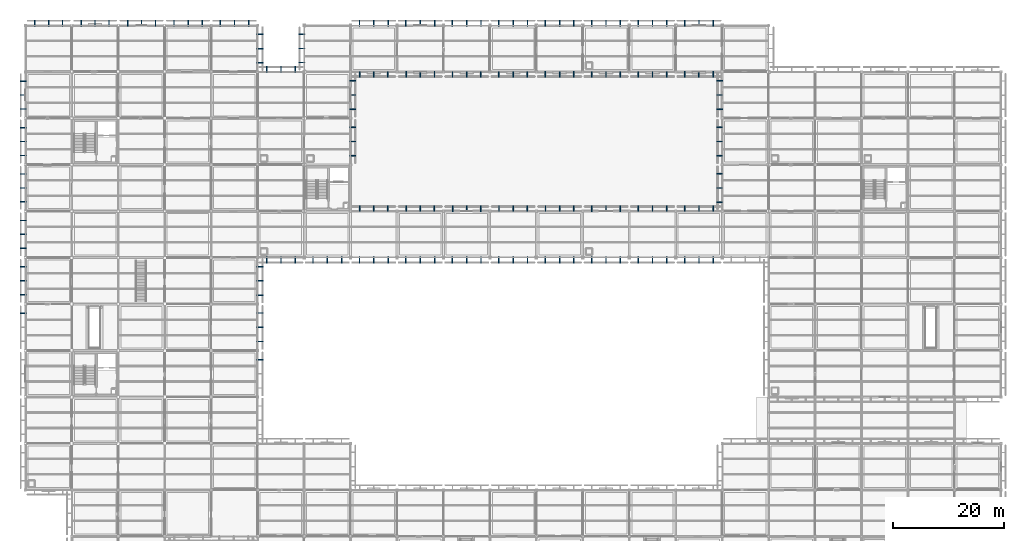
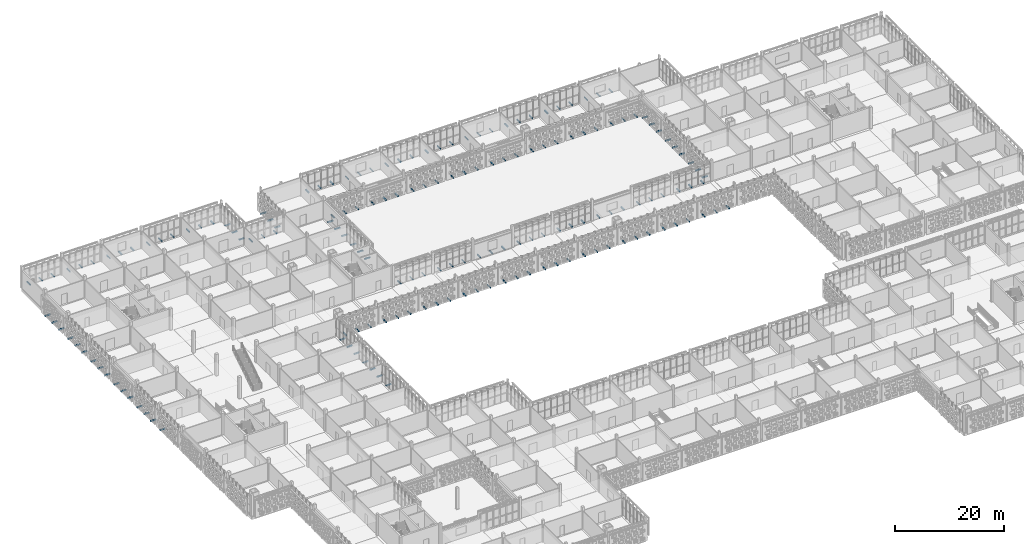
# One storey, part 131 of 203: 164 discrete accessories.
"""IFC4 building model written with IfcOpenShell, lengths in metres."""

import ifcopenshell
import ifcopenshell.guid

model = None  # the IFC model being written
_history = None  # IfcOwnerHistory: only IFC2X3 demands one
_inside = {}  # id of a spatial element -> (the spatial element, [elements in it])
_under = {}  # id of a project, library or spatial element -> (it, [spatial elements below it])
_declared = {}  # id of a project -> (the project, [libraries it declares])
_typed = {}  # id of a type object -> (the type object, [elements of that type])
_made_of = {}  # id of a material, layer set ... -> (it, [elements and type objects made of it])


def new_model(schema):
    """Start an empty IFC model of exactly this schema.

    Asked for "IFC4X3", IfcOpenShell would pick the latest addendum, in which some entities
    have other attributes; the version numbers below select the first issue.
    IFC2X3 requires an IfcOwnerHistory on every rooted entity: one is made here for all.
    """
    global model, _history
    if schema == "IFC4X3":
        model = ifcopenshell.file(schema_version=(4, 3, 0, 0))
    else:
        model = ifcopenshell.file(schema=schema)
    _inside.clear()
    _under.clear()
    _declared.clear()
    _typed.clear()
    _made_of.clear()
    _history = None
    if model.schema == "IFC2X3":
        org = make("IfcOrganization", Name="unknown")
        user = make(
            "IfcPersonAndOrganization",
            ThePerson=make("IfcPerson", FamilyName="unknown"),
            TheOrganization=org,
        )
        app = make(
            "IfcApplication",
            ApplicationDeveloper=org,
            Version="unknown",
            ApplicationFullName="unknown",
            ApplicationIdentifier="unknown",
        )
        _history = make(
            "IfcOwnerHistory",
            OwningUser=user,
            OwningApplication=app,
            ChangeAction="ADDED",
            CreationDate=0,
        )
    return model


def make(cls, **values):
    """One entity of the class cls with the attributes given. An attribute that is None is left unset."""
    return model.create_entity(
        cls, **{name: value for name, value in values.items() if value is not None}
    )


def rooted(cls, **values):
    """An entity with a GlobalId (a new one), such as an element, a storey or a relation."""
    return make(cls, GlobalId=ifcopenshell.guid.new(), OwnerHistory=_history, **values)


def si_unit(unit_type, name, prefix=None):
    """IfcSIUnit, for example si_unit("LENGTHUNIT", "METRE", prefix="MILLI")."""
    return make("IfcSIUnit", UnitType=unit_type, Prefix=prefix, Name=name)


def assignment(units):
    """IfcUnitAssignment: the units of a project."""
    return None if units is None else make("IfcUnitAssignment", Units=units)


def point(xyz):
    """IfcCartesianPoint."""
    return None if xyz is None else make("IfcCartesianPoint", Coordinates=xyz)


def direction(xyz):
    """IfcDirection."""
    return None if xyz is None else make("IfcDirection", DirectionRatios=xyz)


def frame(location, z_axis=None, x_axis=None):
    """IfcAxis2Placement3D, a coordinate frame: its origin and axes. An axis left out is left unset."""
    return make(
        "IfcAxis2Placement3D",
        Location=point(location),
        Axis=direction(z_axis),
        RefDirection=direction(x_axis),
    )


def frame_2d(location, x_axis=None):
    """IfcAxis2Placement2D, a coordinate frame in the plane: its origin and x axis."""
    return make(
        "IfcAxis2Placement2D", Location=point(location), RefDirection=direction(x_axis)
    )


def origin():
    """The frame at (0, 0, 0) with its axes left unset."""
    return frame((0.0, 0.0, 0.0))


def origin_2d():
    """The frame at (0, 0) in the plane with its x axis left unset."""
    return frame_2d((0.0, 0.0))


def place(relative_to, where):
    """IfcLocalPlacement: puts the frame where relative to a parent placement (None: the world)."""
    return make(
        "IfcLocalPlacement", PlacementRelTo=relative_to, RelativePlacement=where
    )


def context(
    kind, dimensions, precision=None, world=None, true_north=None, identifier=None
):
    """IfcGeometricRepresentationContext, for example the 3D "Model" context."""
    return make(
        "IfcGeometricRepresentationContext",
        ContextIdentifier=identifier,
        ContextType=kind,
        CoordinateSpaceDimension=dimensions,
        Precision=precision,
        WorldCoordinateSystem=world,
        TrueNorth=true_north,
    )


def subcontext(parent, identifier, kind, view, scale=None):
    """IfcGeometricRepresentationSubContext, for example "Body" below "Model"."""
    return make(
        "IfcGeometricRepresentationSubContext",
        ContextIdentifier=identifier,
        ContextType=kind,
        ParentContext=parent,
        TargetScale=scale,
        TargetView=view,
    )


def project(units=None, contexts=None):
    """IfcProject with its units and contexts."""
    return rooted(
        "IfcProject",
        Name="project",
        RepresentationContexts=contexts,
        UnitsInContext=assignment(units),
    )


def spatial(cls, under=None, at=None, **own):
    """A site, building, storey or space (cls), placed at a placement, below another one or the project."""
    s = rooted(cls, ObjectPlacement=at, **own)
    if under is not None:
        _under.setdefault(under.id(), (under, []))[1].append(s)
    return s


def profile(cls, at=None, kind="AREA", **sizes):
    """A parametric profile (cls). Its sizes go by their IFC names, for example OverallWidth=200.0."""
    return make(cls, ProfileType=kind, Position=at, **sizes)


def rectangle(**sizes):
    """IfcRectangleProfileDef."""
    return profile("IfcRectangleProfileDef", **sizes)


def extrude(swept, where, along, depth):
    """IfcExtrudedAreaSolid: the profile swept, set in the frame where, extruded along a direction by depth."""
    return make(
        "IfcExtrudedAreaSolid",
        SweptArea=swept,
        Position=where,
        ExtrudedDirection=direction(along),
        Depth=depth,
    )


def shape(context_of_items, identifier, shape_type, items):
    """IfcShapeRepresentation: the items that make up one representation, for example the "Body"."""
    return make(
        "IfcShapeRepresentation",
        ContextOfItems=context_of_items,
        RepresentationIdentifier=identifier,
        RepresentationType=shape_type,
        Items=items,
    )


def material(Name=None, Category=None):
    """IfcMaterial."""
    return make("IfcMaterial", Name=Name, Category=Category)


def made_of(thing, what):
    """Note that an element or type object is made of a material, layer set ...; save() writes the relation."""
    if what is not None:
        _made_of.setdefault(what.id(), (what, []))[1].append(thing)
    return thing


def type_object(cls, material=None, **own):
    """A type object (cls), such as IfcWallType, which elements share."""
    return made_of(rooted(cls, **own), material)


def element(
    cls,
    number,
    at=None,
    inside=None,
    cuts=None,
    type_object=None,
    material=None,
    context=None,
    identifier="Body",
    shape_type=None,
    held_by="IfcProductDefinitionShape",
    body=None,
    shapes=None,
    **own,
):
    """One element of the class cls, such as IfcWall. Its Tag is "e" and its number.

    at: its placement. inside: the storey or other place that contains it. cuts: it is an
    opening in that element (IfcRelVoidsElement). A single representation is given by context,
    identifier, shape_type and body (its items); several are given by shapes. held_by: the class
    of the entity that holds the representations. save() writes the other relations.
    """
    e = rooted(cls, Tag="e%d" % number, ObjectPlacement=at, **own)
    if body is not None:
        shapes = [shape(context, identifier, shape_type, body)]
    if shapes is not None:
        e.Representation = make(held_by, Representations=shapes)
    if inside is not None:
        _inside.setdefault(inside.id(), (inside, []))[1].append(e)
    if cuts is not None:
        rooted(
            "IfcRelVoidsElement", RelatingBuildingElement=cuts, RelatedOpeningElement=e
        )
    if type_object is not None:
        _typed.setdefault(type_object.id(), (type_object, []))[1].append(e)
    return made_of(e, material)


def aggregate(whole, parts):
    """IfcRelAggregates: a whole, such as a stair, and the parts it consists of."""
    return rooted("IfcRelAggregates", RelatingObject=whole, RelatedObjects=parts)


def save(model, path):
    """Write the relations noted so far, then the file.

    IfcRelAggregates (storeys below a building ...), IfcRelContainedInSpatialStructure (elements
    in a storey), IfcRelDefinesByType, IfcRelAssociatesMaterial and IfcRelDeclares: one each for
    every whole, place, type object, material and project.
    """
    for whole, parts in _under.values():
        aggregate(whole, parts)
    for where, things in _inside.values():
        rooted(
            "IfcRelContainedInSpatialStructure",
            RelatedElements=things,
            RelatingStructure=where,
        )
    for kind, things in _typed.values():
        rooted("IfcRelDefinesByType", RelatedObjects=things, RelatingType=kind)
    for what, things in _made_of.values():
        rooted("IfcRelAssociatesMaterial", RelatedObjects=things, RelatingMaterial=what)
    for by, libraries in _declared.values():
        rooted("IfcRelDeclares", RelatingContext=by, RelatedDefinitions=libraries)
    model.write(path)


model = new_model("IFC4")

# Units and contexts
model_context = context("Model", 3, precision=1e-05, world=origin(), true_north=direction((0.0, 1.0)))
body_context = subcontext(model_context, "Body", "Model", "MODEL_VIEW")
ifc_project = project(units=[si_unit("LENGTHUNIT", "METRE"), si_unit("AREAUNIT", "SQUARE_METRE"), si_unit("VOLUMEUNIT", "CUBIC_METRE"), si_unit("PLANEANGLEUNIT", "RADIAN"), si_unit("MASSUNIT", "GRAM", prefix="KILO")], contexts=[model_context])

# Site, building, storey
site_placement = place(None, origin())
site = spatial("IfcSite", under=ifc_project, at=site_placement, CompositionType="ELEMENT")
building_placement = place(site_placement, origin())
building = spatial("IfcBuilding", under=site, at=building_placement, Name="Varnapada Polytechnic", CompositionType="ELEMENT")
storey_placement = place(building_placement, frame((0.0, 0.0, 4.800048828125)))
storey = spatial("IfcBuildingStorey", under=building, at=storey_placement, Name="L01", CompositionType="ELEMENT", Elevation=4.800048828125)

# Discrete accessories
ifc_material = material(Name="Steel S355", Category="steel")
discrete_accessory_type = type_object("IfcDiscreteAccessoryType", Name="Screen Outrigger Bracket BRK-01", PredefinedType="BRACKET", material=ifc_material)
for number, where, z_axis, x_axis, name in (
    (1, (-0.425048828125, 73.921630859375, -0.0498046875), (0.0, 0.0, 1.0), (0.0, 1.0, 0.0), "L01 terracotta screen outrigger bracket 5.3"),
    (2, (-0.425048828125, 77.2783203125, -0.0498046875), (0.0, 0.0, 1.0), (0.0, 1.0, 0.0), "L01 terracotta screen outrigger bracket 6.1"),
    (3, (-0.425048828125, 79.800048828125, -0.0498046875), (0.0, 0.0, 1.0), (0.0, 1.0, 0.0), "L01 terracotta screen outrigger bracket 6.2"),
    (4, (-0.425048828125, 82.321533203125, -0.0498046875), (0.0, 0.0, 1.0), (0.0, 1.0, 0.0), "L01 terracotta screen outrigger bracket 6.3"),
    (5, (-0.425048828125, 85.678466796875, -0.0498046875), (0.0, 0.0, 1.0), (0.0, 1.0, 0.0), "L01 terracotta screen outrigger bracket 7.1"),
    (6, (-0.425048828125, 88.199951171875, -0.0498046875), (0.0, 0.0, 1.0), (0.0, 1.0, 0.0), "L01 terracotta screen outrigger bracket 7.2"),
    (7, (-0.425048828125, 90.7216796875, -0.0498046875), (0.0, 0.0, 1.0), (0.0, 1.0, 0.0), "L01 terracotta screen outrigger bracket 7.3"),
    (8, (-0.425048828125, 94.078369140625, -0.0498046875), (0.0, 0.0, 1.0), (0.0, 1.0, 0.0), "L01 terracotta screen outrigger bracket 8.1"),
    (9, (-0.425048828125, 96.60009765625, -0.0498046875), (0.0, 0.0, 1.0), (0.0, 1.0, 0.0), "L01 terracotta screen outrigger bracket 8.2"),
    (10, (-0.425048828125, 99.12158203125, -0.0498046875), (0.0, 0.0, 1.0), (0.0, 1.0, 0.0), "L01 terracotta screen outrigger bracket 8.3"),
    (11, (-0.425048828125, 102.478515625, -0.0498046875), (0.0, 0.0, 1.0), (0.0, 1.0, 0.0), "L01 terracotta screen outrigger bracket 9.1"),
    (12, (-0.425048828125, 105.0, -0.0498046875), (0.0, 0.0, 1.0), (0.0, 1.0, 0.0), "L01 terracotta screen outrigger bracket 9.2"),
    (13, (-0.425048828125, 107.521484375, -0.0498046875), (0.0, 0.0, 1.0), (0.0, 1.0, 0.0), "L01 terracotta screen outrigger bracket 9.3"),
    (14, (-0.425048828125, 110.87841796875, -0.0498046875), (0.0, 0.0, 1.0), (0.0, 1.0, 0.0), "L01 terracotta screen outrigger bracket 10.1"),
    (15, (-0.425048828125, 113.39990234375, -0.0498046875), (0.0, 0.0, 1.0), (0.0, 1.0, 0.0), "L01 terracotta screen outrigger bracket 10.2"),
    (16, (-0.425048828125, 115.921630859375, -0.0498046875), (0.0, 0.0, 1.0), (0.0, 1.0, 0.0), "L01 terracotta screen outrigger bracket 10.3"),
    (17, (1.678466796875, 126.425048828125, -0.0498046875), (0.0, 0.0, 1.0), (1.0, 0.0, 0.0), "L01 terracotta screen outrigger bracket 11.1"),
    (18, (4.199951171875, 126.425048828125, -0.0498046875), (0.0, 0.0, 1.0), (1.0, 0.0, 0.0), "L01 terracotta screen outrigger bracket 11.2"),
    (19, (6.7216796875, 126.425048828125, -0.0498046875), (0.0, 0.0, 1.0), (1.0, 0.0, 0.0), "L01 terracotta screen outrigger bracket 11.3"),
    (20, (10.078369140625, 126.425048828125, -0.0498046875), (0.0, 0.0, 1.0), (1.0, 0.0, 0.0), "L01 terracotta screen outrigger bracket 19.1"),
    (21, (12.60009765625, 126.425048828125, -0.0498046875), (0.0, 0.0, 1.0), (1.0, 0.0, 0.0), "L01 terracotta screen outrigger bracket 19.2"),
    (22, (15.12158203125, 126.425048828125, -0.0498046875), (0.0, 0.0, 1.0), (1.0, 0.0, 0.0), "L01 terracotta screen outrigger bracket 19.3"),
    (23, (18.478515625, 126.425048828125, -0.0498046875), (0.0, 0.0, 1.0), (1.0, 0.0, 0.0), "L01 terracotta screen outrigger bracket 23.1"),
    (24, (21.0, 126.425048828125, -0.0498046875), (0.0, 0.0, 1.0), (1.0, 0.0, 0.0), "L01 terracotta screen outrigger bracket 23.2"),
    (25, (23.521484375, 126.425048828125, -0.0498046875), (0.0, 0.0, 1.0), (1.0, 0.0, 0.0), "L01 terracotta screen outrigger bracket 23.3"),
    (26, (26.885498046875, 126.425048828125, -0.0498046875), (0.0, 0.0, 1.0), (1.0, 0.0, 0.0), "L01 terracotta screen outrigger bracket 27.1"),
    (27, (29.419921875, 126.425048828125, -0.0498046875), (0.0, 0.0, 1.0), (1.0, 0.0, 0.0), "L01 terracotta screen outrigger bracket 27.2"),
    (28, (31.954345703125, 126.425048828125, -0.0498046875), (0.0, 0.0, 1.0), (1.0, 0.0, 0.0), "L01 terracotta screen outrigger bracket 27.3"),
    (29, (42.425048828125, 65.571044921875, -0.0498046875), (0.0, 0.0, 1.0), (0.0, -1.0, 0.0), "L01 terracotta screen outrigger bracket 32.1"),
    (30, (42.425048828125, 73.98095703125, -0.0498046875), (0.0, 0.0, 1.0), (0.0, -1.0, 0.0), "L01 terracotta screen outrigger bracket 33.1"),
    (31, (42.425048828125, 71.405029296875, -0.0498046875), (0.0, 0.0, 1.0), (0.0, -1.0, 0.0), "L01 terracotta screen outrigger bracket 33.2"),
    (32, (42.425048828125, 68.8291015625, -0.0498046875), (0.0, 0.0, 1.0), (0.0, -1.0, 0.0), "L01 terracotta screen outrigger bracket 33.3"),
    (33, (42.425048828125, 82.37109375, -0.0498046875), (0.0, 0.0, 1.0), (0.0, -1.0, 0.0), "L01 terracotta screen outrigger bracket 34.1"),
    (34, (42.425048828125, 79.794921875, -0.0498046875), (0.0, 0.0, 1.0), (0.0, -1.0, 0.0), "L01 terracotta screen outrigger bracket 34.2"),
    (35, (42.425048828125, 77.218994140625, -0.0498046875), (0.0, 0.0, 1.0), (0.0, -1.0, 0.0), "L01 terracotta screen outrigger bracket 34.3"),
    (36, (35.26171875, 126.425048828125, -0.0498046875), (0.0, 0.0, 1.0), (1.0, 0.0, 0.0), "L01 terracotta screen outrigger bracket 35.1"),
    (37, (37.824951171875, 126.425048828125, -0.0498046875), (0.0, 0.0, 1.0), (1.0, 0.0, 0.0), "L01 terracotta screen outrigger bracket 35.2"),
    (38, (40.38818359375, 126.425048828125, -0.0498046875), (0.0, 0.0, 1.0), (1.0, 0.0, 0.0), "L01 terracotta screen outrigger bracket 35.3"),
    (39, (42.425048828125, 124.381103515625, -0.0498046875), (0.0, 0.0, 1.0), (0.0, -1.0, 0.0), "L01 terracotta screen outrigger bracket 36.1"),
    (40, (42.425048828125, 121.804931640625, -0.0498046875), (0.0, 0.0, 1.0), (0.0, -1.0, 0.0), "L01 terracotta screen outrigger bracket 36.2"),
    (41, (42.425048828125, 119.22900390625, -0.0498046875), (0.0, 0.0, 1.0), (0.0, -1.0, 0.0), "L01 terracotta screen outrigger bracket 36.3"),
    (42, (48.79736328125, 83.574951171875, -0.0498046875), (0.0, 0.0, 1.0), (-1.0, 0.0, 0.0), "L01 terracotta screen outrigger bracket 41.1"),
    (43, (46.215087890625, 83.574951171875, -0.0498046875), (0.0, 0.0, 1.0), (-1.0, 0.0, 0.0), "L01 terracotta screen outrigger bracket 41.2"),
    (44, (43.632568359375, 83.574951171875, -0.0498046875), (0.0, 0.0, 1.0), (-1.0, 0.0, 0.0), "L01 terracotta screen outrigger bracket 41.3"),
    (45, (43.632568359375, 118.02490234375, -0.0498046875), (0.0, 0.0, 1.0), (1.0, 0.0, 0.0), "L01 terracotta screen outrigger bracket 42.1"),
    (46, (46.215087890625, 118.02490234375, -0.0498046875), (0.0, 0.0, 1.0), (1.0, 0.0, 0.0), "L01 terracotta screen outrigger bracket 42.2"),
    (47, (48.79736328125, 118.02490234375, -0.0498046875), (0.0, 0.0, 1.0), (1.0, 0.0, 0.0), "L01 terracotta screen outrigger bracket 42.3"),
    (48, (57.19189453125, 83.574951171875, -0.0498046875), (0.0, 0.0, 1.0), (-1.0, 0.0, 0.0), "L01 terracotta screen outrigger bracket 48.1"),
    (49, (54.60009765625, 83.574951171875, -0.0498046875), (0.0, 0.0, 1.0), (-1.0, 0.0, 0.0), "L01 terracotta screen outrigger bracket 48.2"),
    (50, (52.008056640625, 83.574951171875, -0.0498046875), (0.0, 0.0, 1.0), (-1.0, 0.0, 0.0), "L01 terracotta screen outrigger bracket 48.3"),
    (51, (59.22509765625, 107.5537109375, -0.0498046875), (0.0, 0.0, 1.0), (0.0, -1.0, 0.0), "L01 terracotta screen outrigger bracket 50.1"),
    (52, (59.22509765625, 105.0, -0.0498046875), (0.0, 0.0, 1.0), (0.0, -1.0, 0.0), "L01 terracotta screen outrigger bracket 50.2"),
    (53, (59.22509765625, 102.4462890625, -0.0498046875), (0.0, 0.0, 1.0), (0.0, -1.0, 0.0), "L01 terracotta screen outrigger bracket 50.3"),
    (54, (59.22509765625, 115.95361328125, -0.0498046875), (0.0, 0.0, 1.0), (0.0, -1.0, 0.0), "L01 terracotta screen outrigger bracket 51.1"),
    (55, (59.22509765625, 113.39990234375, -0.0498046875), (0.0, 0.0, 1.0), (0.0, -1.0, 0.0), "L01 terracotta screen outrigger bracket 51.2"),
    (56, (59.22509765625, 110.846435546875, -0.0498046875), (0.0, 0.0, 1.0), (0.0, -1.0, 0.0), "L01 terracotta screen outrigger bracket 51.3"),
    (57, (49.97509765625, 119.281005859375, -0.0498046875), (0.0, 0.0, 1.0), (0.0, 1.0, 0.0), "L01 terracotta screen outrigger bracket 53.1"),
    (58, (49.97509765625, 121.824951171875, -0.0498046875), (0.0, 0.0, 1.0), (0.0, 1.0, 0.0), "L01 terracotta screen outrigger bracket 53.2"),
    (59, (49.97509765625, 124.368896484375, -0.0498046875), (0.0, 0.0, 1.0), (0.0, 1.0, 0.0), "L01 terracotta screen outrigger bracket 53.3"),
    (60, (65.592041015625, 83.574951171875, -0.0498046875), (0.0, 0.0, 1.0), (-1.0, 0.0, 0.0), "L01 terracotta screen outrigger bracket 56.1"),
    (61, (63.0, 83.574951171875, -0.0498046875), (0.0, 0.0, 1.0), (-1.0, 0.0, 0.0), "L01 terracotta screen outrigger bracket 56.2"),
    (62, (60.407958984375, 83.574951171875, -0.0498046875), (0.0, 0.0, 1.0), (-1.0, 0.0, 0.0), "L01 terracotta screen outrigger bracket 56.3"),
    (63, (60.4462890625, 92.824951171875, -0.0498046875), (0.0, 0.0, 1.0), (1.0, 0.0, 0.0), "L01 terracotta screen outrigger bracket 57.1"),
    (64, (63.0, 92.824951171875, -0.0498046875), (0.0, 0.0, 1.0), (1.0, 0.0, 0.0), "L01 terracotta screen outrigger bracket 57.2"),
    (65, (65.5537109375, 92.824951171875, -0.0498046875), (0.0, 0.0, 1.0), (1.0, 0.0, 0.0), "L01 terracotta screen outrigger bracket 57.3"),
    (66, (65.5537109375, 117.175048828125, -0.0498046875), (0.0, 0.0, 1.0), (-1.0, 0.0, 0.0), "L01 terracotta screen outrigger bracket 58.1"),
    (67, (63.0, 117.175048828125, -0.0498046875), (0.0, 0.0, 1.0), (-1.0, 0.0, 0.0), "L01 terracotta screen outrigger bracket 58.2"),
    (68, (60.4462890625, 117.175048828125, -0.0498046875), (0.0, 0.0, 1.0), (-1.0, 0.0, 0.0), "L01 terracotta screen outrigger bracket 58.3"),
    (69, (60.407958984375, 126.425048828125, -0.0498046875), (0.0, 0.0, 1.0), (1.0, 0.0, 0.0), "L01 terracotta screen outrigger bracket 59.1"),
    (70, (63.0, 126.425048828125, -0.0498046875), (0.0, 0.0, 1.0), (1.0, 0.0, 0.0), "L01 terracotta screen outrigger bracket 59.2"),
    (71, (65.592041015625, 126.425048828125, -0.0498046875), (0.0, 0.0, 1.0), (1.0, 0.0, 0.0), "L01 terracotta screen outrigger bracket 59.3"),
    (72, (73.991943359375, 83.574951171875, -0.0498046875), (0.0, 0.0, 1.0), (-1.0, 0.0, 0.0), "L01 terracotta screen outrigger bracket 62.1"),
    (73, (71.39990234375, 83.574951171875, -0.0498046875), (0.0, 0.0, 1.0), (-1.0, 0.0, 0.0), "L01 terracotta screen outrigger bracket 62.2"),
    (74, (68.80810546875, 83.574951171875, -0.0498046875), (0.0, 0.0, 1.0), (-1.0, 0.0, 0.0), "L01 terracotta screen outrigger bracket 62.3"),
    (75, (68.846435546875, 92.824951171875, -0.0498046875), (0.0, 0.0, 1.0), (1.0, 0.0, 0.0), "L01 terracotta screen outrigger bracket 63.1"),
    (76, (71.39990234375, 92.824951171875, -0.0498046875), (0.0, 0.0, 1.0), (1.0, 0.0, 0.0), "L01 terracotta screen outrigger bracket 63.2"),
    (77, (73.95361328125, 92.824951171875, -0.0498046875), (0.0, 0.0, 1.0), (1.0, 0.0, 0.0), "L01 terracotta screen outrigger bracket 63.3"),
    (78, (73.978271484375, 117.175048828125, -0.0498046875), (0.0, 0.0, 1.0), (-1.0, 0.0, 0.0), "L01 terracotta screen outrigger bracket 64.1"),
    (79, (71.4150390625, 117.175048828125, -0.0498046875), (0.0, 0.0, 1.0), (-1.0, 0.0, 0.0), "L01 terracotta screen outrigger bracket 64.2"),
    (80, (68.851806640625, 117.175048828125, -0.0498046875), (0.0, 0.0, 1.0), (-1.0, 0.0, 0.0), "L01 terracotta screen outrigger bracket 64.3"),
    (81, (68.80810546875, 126.425048828125, -0.0498046875), (0.0, 0.0, 1.0), (1.0, 0.0, 0.0), "L01 terracotta screen outrigger bracket 65.1"),
    (82, (71.39990234375, 126.425048828125, -0.0498046875), (0.0, 0.0, 1.0), (1.0, 0.0, 0.0), "L01 terracotta screen outrigger bracket 65.2"),
    (83, (73.991943359375, 126.425048828125, -0.0498046875), (0.0, 0.0, 1.0), (1.0, 0.0, 0.0), "L01 terracotta screen outrigger bracket 65.3"),
    (84, (82.39208984375, 83.574951171875, -0.0498046875), (0.0, 0.0, 1.0), (-1.0, 0.0, 0.0), "L01 terracotta screen outrigger bracket 68.1"),
    (85, (79.800048828125, 83.574951171875, -0.0498046875), (0.0, 0.0, 1.0), (-1.0, 0.0, 0.0), "L01 terracotta screen outrigger bracket 68.2"),
    (86, (77.2080078125, 83.574951171875, -0.0498046875), (0.0, 0.0, 1.0), (-1.0, 0.0, 0.0), "L01 terracotta screen outrigger bracket 68.3"),
    (87, (77.246337890625, 92.824951171875, -0.0498046875), (0.0, 0.0, 1.0), (1.0, 0.0, 0.0), "L01 terracotta screen outrigger bracket 69.1"),
    (88, (79.800048828125, 92.824951171875, -0.0498046875), (0.0, 0.0, 1.0), (1.0, 0.0, 0.0), "L01 terracotta screen outrigger bracket 69.2"),
    (89, (82.353515625, 92.824951171875, -0.0498046875), (0.0, 0.0, 1.0), (1.0, 0.0, 0.0), "L01 terracotta screen outrigger bracket 69.3"),
    (90, (82.372802734375, 117.175048828125, -0.0498046875), (0.0, 0.0, 1.0), (-1.0, 0.0, 0.0), "L01 terracotta screen outrigger bracket 70.1"),
    (91, (79.800048828125, 117.175048828125, -0.0498046875), (0.0, 0.0, 1.0), (-1.0, 0.0, 0.0), "L01 terracotta screen outrigger bracket 70.2"),
    (92, (77.227294921875, 117.175048828125, -0.0498046875), (0.0, 0.0, 1.0), (-1.0, 0.0, 0.0), "L01 terracotta screen outrigger bracket 70.3"),
    (93, (77.2080078125, 126.425048828125, -0.0498046875), (0.0, 0.0, 1.0), (1.0, 0.0, 0.0), "L01 terracotta screen outrigger bracket 71.1"),
    (94, (79.800048828125, 126.425048828125, -0.0498046875), (0.0, 0.0, 1.0), (1.0, 0.0, 0.0), "L01 terracotta screen outrigger bracket 71.2"),
    (95, (82.39208984375, 126.425048828125, -0.0498046875), (0.0, 0.0, 1.0), (1.0, 0.0, 0.0), "L01 terracotta screen outrigger bracket 71.3"),
    (96, (90.7919921875, 83.574951171875, -0.0498046875), (0.0, 0.0, 1.0), (-1.0, 0.0, 0.0), "L01 terracotta screen outrigger bracket 74.1"),
    (97, (88.199951171875, 83.574951171875, -0.0498046875), (0.0, 0.0, 1.0), (-1.0, 0.0, 0.0), "L01 terracotta screen outrigger bracket 74.2"),
    (98, (85.60791015625, 83.574951171875, -0.0498046875), (0.0, 0.0, 1.0), (-1.0, 0.0, 0.0), "L01 terracotta screen outrigger bracket 74.3"),
    (99, (85.646484375, 92.824951171875, -0.0498046875), (0.0, 0.0, 1.0), (1.0, 0.0, 0.0), "L01 terracotta screen outrigger bracket 75.1"),
    (100, (88.199951171875, 92.824951171875, -0.0498046875), (0.0, 0.0, 1.0), (1.0, 0.0, 0.0), "L01 terracotta screen outrigger bracket 75.2"),
    (101, (90.753662109375, 92.824951171875, -0.0498046875), (0.0, 0.0, 1.0), (1.0, 0.0, 0.0), "L01 terracotta screen outrigger bracket 75.3"),
    (102, (90.772705078125, 117.175048828125, -0.0498046875), (0.0, 0.0, 1.0), (-1.0, 0.0, 0.0), "L01 terracotta screen outrigger bracket 76.1"),
    (103, (88.199951171875, 117.175048828125, -0.0498046875), (0.0, 0.0, 1.0), (-1.0, 0.0, 0.0), "L01 terracotta screen outrigger bracket 76.2"),
    (104, (85.627197265625, 117.175048828125, -0.0498046875), (0.0, 0.0, 1.0), (-1.0, 0.0, 0.0), "L01 terracotta screen outrigger bracket 76.3"),
    (105, (85.60791015625, 126.425048828125, -0.0498046875), (0.0, 0.0, 1.0), (1.0, 0.0, 0.0), "L01 terracotta screen outrigger bracket 77.1"),
    (106, (88.199951171875, 126.425048828125, -0.0498046875), (0.0, 0.0, 1.0), (1.0, 0.0, 0.0), "L01 terracotta screen outrigger bracket 77.2"),
    (107, (90.7919921875, 126.425048828125, -0.0498046875), (0.0, 0.0, 1.0), (1.0, 0.0, 0.0), "L01 terracotta screen outrigger bracket 77.3"),
    (108, (99.19189453125, 83.574951171875, -0.0498046875), (0.0, 0.0, 1.0), (-1.0, 0.0, 0.0), "L01 terracotta screen outrigger bracket 80.1"),
    (109, (96.60009765625, 83.574951171875, -0.0498046875), (0.0, 0.0, 1.0), (-1.0, 0.0, 0.0), "L01 terracotta screen outrigger bracket 80.2"),
    (110, (94.008056640625, 83.574951171875, -0.0498046875), (0.0, 0.0, 1.0), (-1.0, 0.0, 0.0), "L01 terracotta screen outrigger bracket 80.3"),
    (111, (94.04638671875, 92.824951171875, -0.0498046875), (0.0, 0.0, 1.0), (1.0, 0.0, 0.0), "L01 terracotta screen outrigger bracket 81.1"),
    (112, (96.60009765625, 92.824951171875, -0.0498046875), (0.0, 0.0, 1.0), (1.0, 0.0, 0.0), "L01 terracotta screen outrigger bracket 81.2"),
    (113, (99.153564453125, 92.824951171875, -0.0498046875), (0.0, 0.0, 1.0), (1.0, 0.0, 0.0), "L01 terracotta screen outrigger bracket 81.3"),
    (114, (99.1728515625, 117.175048828125, -0.0498046875), (0.0, 0.0, 1.0), (-1.0, 0.0, 0.0), "L01 terracotta screen outrigger bracket 82.1"),
    (115, (96.60009765625, 117.175048828125, -0.0498046875), (0.0, 0.0, 1.0), (-1.0, 0.0, 0.0), "L01 terracotta screen outrigger bracket 82.2"),
    (116, (94.027099609375, 117.175048828125, -0.0498046875), (0.0, 0.0, 1.0), (-1.0, 0.0, 0.0), "L01 terracotta screen outrigger bracket 82.3"),
    (117, (94.008056640625, 126.425048828125, -0.0498046875), (0.0, 0.0, 1.0), (1.0, 0.0, 0.0), "L01 terracotta screen outrigger bracket 83.1"),
    (118, (96.60009765625, 126.425048828125, -0.0498046875), (0.0, 0.0, 1.0), (1.0, 0.0, 0.0), "L01 terracotta screen outrigger bracket 83.2"),
    (119, (99.19189453125, 126.425048828125, -0.0498046875), (0.0, 0.0, 1.0), (1.0, 0.0, 0.0), "L01 terracotta screen outrigger bracket 83.3"),
    (120, (107.592041015625, 83.574951171875, -0.0498046875), (0.0, 0.0, 1.0), (-1.0, 0.0, 0.0), "L01 terracotta screen outrigger bracket 86.1"),
    (121, (105.0, 83.574951171875, -0.0498046875), (0.0, 0.0, 1.0), (-1.0, 0.0, 0.0), "L01 terracotta screen outrigger bracket 86.2"),
    (122, (102.407958984375, 83.574951171875, -0.0498046875), (0.0, 0.0, 1.0), (-1.0, 0.0, 0.0), "L01 terracotta screen outrigger bracket 86.3"),
    (123, (102.4462890625, 92.824951171875, -0.0498046875), (0.0, 0.0, 1.0), (1.0, 0.0, 0.0), "L01 terracotta screen outrigger bracket 87.1"),
    (124, (105.0, 92.824951171875, -0.0498046875), (0.0, 0.0, 1.0), (1.0, 0.0, 0.0), "L01 terracotta screen outrigger bracket 87.2"),
    (125, (107.5537109375, 92.824951171875, -0.0498046875), (0.0, 0.0, 1.0), (1.0, 0.0, 0.0), "L01 terracotta screen outrigger bracket 87.3"),
    (126, (107.57275390625, 117.175048828125, -0.0498046875), (0.0, 0.0, 1.0), (-1.0, 0.0, 0.0), "L01 terracotta screen outrigger bracket 88.1"),
    (127, (105.0, 117.175048828125, -0.0498046875), (0.0, 0.0, 1.0), (-1.0, 0.0, 0.0), "L01 terracotta screen outrigger bracket 88.2"),
    (128, (102.42724609375, 117.175048828125, -0.0498046875), (0.0, 0.0, 1.0), (-1.0, 0.0, 0.0), "L01 terracotta screen outrigger bracket 88.3"),
    (129, (102.407958984375, 126.425048828125, -0.0498046875), (0.0, 0.0, 1.0), (1.0, 0.0, 0.0), "L01 terracotta screen outrigger bracket 89.1"),
    (130, (105.0, 126.425048828125, -0.0498046875), (0.0, 0.0, 1.0), (1.0, 0.0, 0.0), "L01 terracotta screen outrigger bracket 89.2"),
    (131, (107.592041015625, 126.425048828125, -0.0498046875), (0.0, 0.0, 1.0), (1.0, 0.0, 0.0), "L01 terracotta screen outrigger bracket 89.3"),
    (132, (115.991943359375, 83.574951171875, -0.0498046875), (0.0, 0.0, 1.0), (-1.0, 0.0, 0.0), "L01 terracotta screen outrigger bracket 92.1"),
    (133, (113.39990234375, 83.574951171875, -0.0498046875), (0.0, 0.0, 1.0), (-1.0, 0.0, 0.0), "L01 terracotta screen outrigger bracket 92.2"),
    (134, (110.80810546875, 83.574951171875, -0.0498046875), (0.0, 0.0, 1.0), (-1.0, 0.0, 0.0), "L01 terracotta screen outrigger bracket 92.3"),
    (135, (110.846435546875, 92.824951171875, -0.0498046875), (0.0, 0.0, 1.0), (1.0, 0.0, 0.0), "L01 terracotta screen outrigger bracket 93.1"),
    (136, (113.39990234375, 92.824951171875, -0.0498046875), (0.0, 0.0, 1.0), (1.0, 0.0, 0.0), "L01 terracotta screen outrigger bracket 93.2"),
    (137, (115.95361328125, 92.824951171875, -0.0498046875), (0.0, 0.0, 1.0), (1.0, 0.0, 0.0), "L01 terracotta screen outrigger bracket 93.3"),
    (138, (115.964599609375, 117.175048828125, -0.0498046875), (0.0, 0.0, 1.0), (-1.0, 0.0, 0.0), "L01 terracotta screen outrigger bracket 94.1"),
    (139, (113.39501953125, 117.175048828125, -0.0498046875), (0.0, 0.0, 1.0), (-1.0, 0.0, 0.0), "L01 terracotta screen outrigger bracket 94.2"),
    (140, (110.825439453125, 117.175048828125, -0.0498046875), (0.0, 0.0, 1.0), (-1.0, 0.0, 0.0), "L01 terracotta screen outrigger bracket 94.3"),
    (141, (110.80810546875, 126.425048828125, -0.0498046875), (0.0, 0.0, 1.0), (1.0, 0.0, 0.0), "L01 terracotta screen outrigger bracket 95.1"),
    (142, (113.39990234375, 126.425048828125, -0.0498046875), (0.0, 0.0, 1.0), (1.0, 0.0, 0.0), "L01 terracotta screen outrigger bracket 95.2"),
    (143, (115.991943359375, 126.425048828125, -0.0498046875), (0.0, 0.0, 1.0), (1.0, 0.0, 0.0), "L01 terracotta screen outrigger bracket 95.3"),
    (144, (124.39208984375, 83.574951171875, -0.0498046875), (0.0, 0.0, 1.0), (-1.0, 0.0, 0.0), "L01 terracotta screen outrigger bracket 98.1"),
    (145, (121.800048828125, 83.574951171875, -0.0498046875), (0.0, 0.0, 1.0), (-1.0, 0.0, 0.0), "L01 terracotta screen outrigger bracket 98.2"),
    (146, (119.2080078125, 83.574951171875, -0.0498046875), (0.0, 0.0, 1.0), (-1.0, 0.0, 0.0), "L01 terracotta screen outrigger bracket 98.3"),
    (147, (119.246337890625, 92.824951171875, -0.0498046875), (0.0, 0.0, 1.0), (1.0, 0.0, 0.0), "L01 terracotta screen outrigger bracket 99.1"),
    (148, (121.800048828125, 92.824951171875, -0.0498046875), (0.0, 0.0, 1.0), (1.0, 0.0, 0.0), "L01 terracotta screen outrigger bracket 99.2"),
    (149, (124.353515625, 92.824951171875, -0.0498046875), (0.0, 0.0, 1.0), (1.0, 0.0, 0.0), "L01 terracotta screen outrigger bracket 99.3"),
    (150, (124.35009765625, 117.175048828125, -0.0498046875), (0.0, 0.0, 1.0), (-1.0, 0.0, 0.0), "L01 terracotta screen outrigger bracket 100.1"),
    (151, (121.7900390625, 117.175048828125, -0.0498046875), (0.0, 0.0, 1.0), (-1.0, 0.0, 0.0), "L01 terracotta screen outrigger bracket 100.2"),
    (152, (119.22998046875, 117.175048828125, -0.0498046875), (0.0, 0.0, 1.0), (-1.0, 0.0, 0.0), "L01 terracotta screen outrigger bracket 100.3"),
    (153, (119.2080078125, 126.425048828125, -0.0498046875), (0.0, 0.0, 1.0), (1.0, 0.0, 0.0), "L01 terracotta screen outrigger bracket 101.1"),
    (154, (121.800048828125, 126.425048828125, -0.0498046875), (0.0, 0.0, 1.0), (1.0, 0.0, 0.0), "L01 terracotta screen outrigger bracket 101.2"),
    (155, (124.39208984375, 126.425048828125, -0.0498046875), (0.0, 0.0, 1.0), (1.0, 0.0, 0.0), "L01 terracotta screen outrigger bracket 101.3"),
    (156, (125.574951171875, 94.04638671875, -0.0498046875), (0.0, 0.0, 1.0), (0.0, 1.0, 0.0), "L01 terracotta screen outrigger bracket 108.1"),
    (157, (125.574951171875, 96.60009765625, -0.0498046875), (0.0, 0.0, 1.0), (0.0, 1.0, 0.0), "L01 terracotta screen outrigger bracket 108.2"),
    (158, (125.574951171875, 99.153564453125, -0.0498046875), (0.0, 0.0, 1.0), (0.0, 1.0, 0.0), "L01 terracotta screen outrigger bracket 108.3"),
    (159, (125.574951171875, 102.4462890625, -0.0498046875), (0.0, 0.0, 1.0), (0.0, 1.0, 0.0), "L01 terracotta screen outrigger bracket 109.1"),
    (160, (125.574951171875, 105.0, -0.0498046875), (0.0, 0.0, 1.0), (0.0, 1.0, 0.0), "L01 terracotta screen outrigger bracket 109.2"),
    (161, (125.574951171875, 107.5537109375, -0.0498046875), (0.0, 0.0, 1.0), (0.0, 1.0, 0.0), "L01 terracotta screen outrigger bracket 109.3"),
    (162, (125.574951171875, 110.846435546875, -0.0498046875), (0.0, 0.0, 1.0), (0.0, 1.0, 0.0), "L01 terracotta screen outrigger bracket 110.1"),
    (163, (125.574951171875, 113.39990234375, -0.0498046875), (0.0, 0.0, 1.0), (0.0, 1.0, 0.0), "L01 terracotta screen outrigger bracket 110.2"),
    (164, (125.574951171875, 115.95361328125, -0.0498046875), (0.0, 0.0, 1.0), (0.0, 1.0, 0.0), "L01 terracotta screen outrigger bracket 110.3"),
):
    element("IfcDiscreteAccessory", number, at=place(storey_placement, frame(where, z_axis=z_axis, x_axis=x_axis)), inside=storey, type_object=discrete_accessory_type, Name=name, PredefinedType="BRACKET", context=body_context, shape_type="SweptSolid", body=[
        extrude(rectangle(XDim=0.159912109375, YDim=1.090087890625, at=origin_2d()), origin(), (0.0, 0.0, 1.0), 0.219970703125),
    ])

save(model, "model.ifc")
